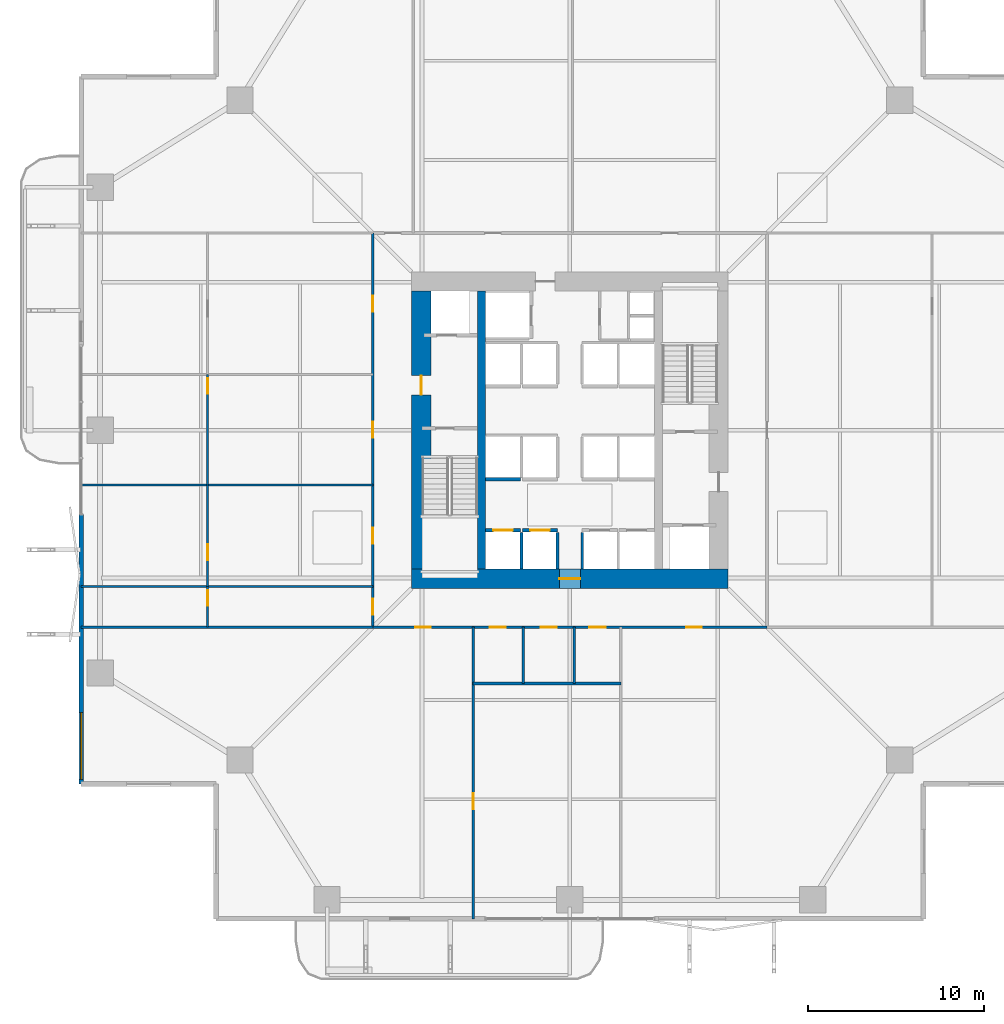
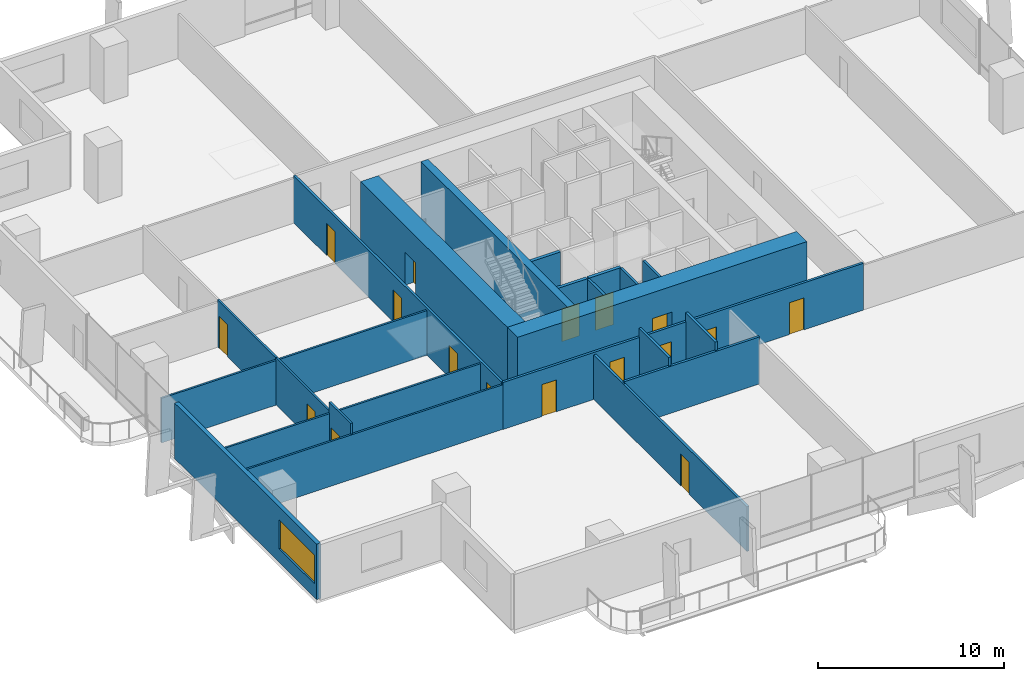
# One storey, part 17 of 23: 22 walls, 17 doors, 1 window, 18 openings.
"""IFC4 building model written with IfcOpenShell, lengths in metres."""

from ifc_helpers import new_model, si_unit, direction, frame, frame_2d, origin, place, context, subcontext, project, spatial, rectangle, extrude, material, layer, layer_set, type_object, element, fill, save


model = new_model("IFC4")

# Units and contexts
model_context = context("Model", 3, precision=1e-05, world=origin(), true_north=direction((0.0, 1.0)))
body_context = subcontext(model_context, "Body", "Model", "MODEL_VIEW")
ifc_project = project(units=[si_unit("LENGTHUNIT", "METRE"), si_unit("AREAUNIT", "SQUARE_METRE"), si_unit("VOLUMEUNIT", "CUBIC_METRE"), si_unit("PLANEANGLEUNIT", "RADIAN"), si_unit("MASSUNIT", "GRAM", prefix="KILO")], contexts=[model_context])

# Site, building, storey
site_placement = place(None, origin())
site = spatial("IfcSite", under=ifc_project, at=site_placement, CompositionType="ELEMENT")
building_placement = place(site_placement, origin())
building = spatial("IfcBuilding", under=site, at=building_placement, Name="Belovzor Exchange Tower", CompositionType="ELEMENT")
storey_placement = place(building_placement, frame((0.0, 0.0, 53.39990234375)))
storey = spatial("IfcBuildingStorey", under=building, at=storey_placement, Name="L12", CompositionType="ELEMENT", Elevation=53.39990234375)

# Wall
ifc_material_1 = material(Name="Acoustic Plasterboard on Galvanised Studs", Category="gypsum")
ifc_layer_1 = layer(ifc_material_1, 0.1201171875)
ifc_layer_set_1 = layer_set([ifc_layer_1], Name="Acoustic Plasterboard on Galvanised Studs")
wall_type_1 = type_object("IfcWallType", Name="Acoustic Double-Stud Partition Wall 120", PredefinedType="PARTITIONING", material=ifc_layer_set_1)
wall_1_placement = place(storey_placement, frame((1.030029296875, 17.60009765625, 0.0), z_axis=(0.0, 0.0, 1.0), x_axis=(1.0, 0.0, 0.0)))
element("IfcWall", 1, at=wall_1_placement, inside=storey, type_object=wall_type_1, Name="W-P120 Partition Wall W-L12-END-SW", PredefinedType="PARTITIONING", context=body_context, shape_type="SweptSolid", body=[
    extrude(rectangle(XDim=16.570068359375, YDim=0.1201171875, at=frame_2d((8.28515625, 0.0))), origin(), (0.0, 0.0, 1.0), 2.93505859375),
])

# Wall, opening, door
wall_2_placement = place(storey_placement, frame((8.2119140625, 17.60009765625, 0.0), z_axis=(0.0, 0.0, 1.0), x_axis=(0.0, 1.0, 0.0)))
wall_2 = element("IfcWall", 2, at=wall_2_placement, inside=storey, type_object=wall_type_1, Name="W-P120 Partition Wall W-L12-WHDIV-0", PredefinedType="PARTITIONING", context=body_context, shape_type="SweptSolid", body=[
    extrude(rectangle(XDim=2.31298828125, YDim=0.1201171875, at=frame_2d((1.156494140625, 0.0))), origin(), (0.0, 0.0, 1.0), 3.650146484375),
])
opening_1_placement = place(wall_2_placement, frame((1.212890625, 0.0, 0.0)))
opening_1 = element("IfcOpeningElement", 3, at=opening_1_placement, cuts=wall_2, Name="Opening D-INT-090", PredefinedType="OPENING", context=body_context, shape_type="SweptSolid", body=[
    extrude(rectangle(XDim=0.89990234375, YDim=2.10009765625, at=frame_2d((0.449951171875, 1.050048828125))), frame((0.0, 0.070068359375, 0.0), z_axis=(0.0, -1.0, 0.0), x_axis=(1.0, 0.0, 0.0)), (0.0, 0.0, 1.0), 0.14013671875),
])
ifc_material_2 = material(Name="Veneered Hardwood Acoustic Leaf", Category="wood")
door_type_1 = type_object("IfcDoorType", Name="Trading Suite Acoustic Single Door 900x2100", OperationType="NOTDEFINED", PredefinedType="DOOR", material=ifc_material_2)
door_1_placement = place(opening_1_placement, origin())
door_1 = element("IfcDoor", 4, at=door_1_placement, inside=storey, type_object=door_type_1, Name="D-INT-090 Trading Suite Acoustic Single Door 900x2100", OperationType="SINGLE_SWING_LEFT", OverallHeight=2.10009765625, OverallWidth=0.89990234375, PredefinedType="DOOR", context=body_context, shape_type="SweptSolid", body=[
    extrude(rectangle(XDim=0.89990234375, YDim=2.10009765625, at=frame_2d((0.449951171875, 1.050048828125))), frame((0.0, 0.02490234375, 0.0), z_axis=(0.0, -1.0, 0.0), x_axis=(1.0, 0.0, 0.0)), (0.0, 0.0, 1.0), 0.050048828125),
])
fill(opening_1, door_1)

# Wall
wall_3_placement = place(storey_placement, frame((1.030029296875, 19.9130859375, 0.0), z_axis=(0.0, 0.0, 1.0), x_axis=(1.0, 0.0, 0.0)))
element("IfcWall", 5, at=wall_3_placement, inside=storey, type_object=wall_type_1, Name="W-P120 Partition Wall W-L12-WDIV-1", PredefinedType="PARTITIONING", context=body_context, shape_type="SweptSolid", body=[
    extrude(rectangle(XDim=16.570068359375, YDim=0.1201171875, at=frame_2d((8.28515625, 0.0))), origin(), (0.0, 0.0, 1.0), 2.93505859375),
])

# Wall, opening, door
wall_4_placement = place(storey_placement, frame((8.2119140625, 19.9130859375, 0.0), z_axis=(0.0, 0.0, 1.0), x_axis=(0.0, 1.0, 0.0)))
wall_4 = element("IfcWall", 6, at=wall_4_placement, inside=storey, type_object=wall_type_1, Name="W-P120 Partition Wall W-L12-WHDIV-1", PredefinedType="PARTITIONING", context=body_context, shape_type="SweptSolid", body=[
    extrude(rectangle(XDim=5.763916015625, YDim=0.1201171875, at=frame_2d((2.8818359375, 0.0))), origin(), (0.0, 0.0, 1.0), 3.085205078125),
])
opening_2_placement = place(wall_4_placement, frame((1.501953125, 0.0, 0.0)))
opening_2 = element("IfcOpeningElement", 7, at=opening_2_placement, cuts=wall_4, Name="Opening D-INT-090", PredefinedType="OPENING", context=body_context, shape_type="SweptSolid", body=[
    extrude(rectangle(XDim=0.89990234375, YDim=2.10009765625, at=frame_2d((0.449951171875, 1.050048828125))), frame((0.0, 0.070068359375, 0.0), z_axis=(0.0, -1.0, 0.0), x_axis=(1.0, 0.0, 0.0)), (0.0, 0.0, 1.0), 0.14013671875),
])
door_2_placement = place(opening_2_placement, origin())
door_2 = element("IfcDoor", 8, at=door_2_placement, inside=storey, type_object=door_type_1, Name="D-INT-090 Trading Suite Acoustic Single Door 900x2100", OperationType="SINGLE_SWING_LEFT", OverallHeight=2.10009765625, OverallWidth=0.89990234375, PredefinedType="DOOR", context=body_context, shape_type="SweptSolid", body=[
    extrude(rectangle(XDim=0.89990234375, YDim=2.10009765625, at=frame_2d((0.449951171875, 1.050048828125))), frame((0.0, 0.02490234375, 0.0), z_axis=(0.0, -1.0, 0.0), x_axis=(1.0, 0.0, 0.0)), (0.0, 0.0, 1.0), 0.050048828125),
])
fill(opening_2, door_2)

# Wall
wall_5_placement = place(storey_placement, frame((1.030029296875, 25.677001953125, 0.0), z_axis=(0.0, 0.0, 1.0), x_axis=(1.0, 0.0, 0.0)))
element("IfcWall", 9, at=wall_5_placement, inside=storey, type_object=wall_type_1, Name="W-P120 Partition Wall W-L12-WDIV-2", PredefinedType="PARTITIONING", context=body_context, shape_type="SweptSolid", body=[
    extrude(rectangle(XDim=16.570068359375, YDim=0.1201171875, at=frame_2d((8.28515625, 0.0))), origin(), (0.0, 0.0, 1.0), 2.93505859375),
])

# Wall, opening, door
wall_6_placement = place(storey_placement, frame((8.2119140625, 25.677001953125, 0.0), z_axis=(0.0, 0.0, 1.0), x_axis=(0.0, 1.0, 0.0)))
wall_6 = element("IfcWall", 10, at=wall_6_placement, inside=storey, type_object=wall_type_1, Name="W-P120 Partition Wall W-L12-WHDIV-2", PredefinedType="PARTITIONING", context=body_context, shape_type="SweptSolid", body=[
    extrude(rectangle(XDim=6.284912109375, YDim=0.1201171875, at=frame_2d((3.142578125, 0.0))), origin(), (0.0, 0.0, 1.0), 3.085205078125),
])
opening_3_placement = place(wall_6_placement, frame((5.18505859375, 0.0, 0.0)))
opening_3 = element("IfcOpeningElement", 11, at=opening_3_placement, cuts=wall_6, Name="Opening D-INT-090", PredefinedType="OPENING", context=body_context, shape_type="SweptSolid", body=[
    extrude(rectangle(XDim=0.89990234375, YDim=2.10009765625, at=frame_2d((0.449951171875, 1.050048828125))), frame((0.0, 0.070068359375, 0.0), z_axis=(0.0, -1.0, 0.0), x_axis=(1.0, 0.0, 0.0)), (0.0, 0.0, 1.0), 0.14013671875),
])
door_3_placement = place(opening_3_placement, origin())
door_3 = element("IfcDoor", 12, at=door_3_placement, inside=storey, type_object=door_type_1, Name="D-INT-090 Trading Suite Acoustic Single Door 900x2100", OperationType="SINGLE_SWING_LEFT", OverallHeight=2.10009765625, OverallWidth=0.89990234375, PredefinedType="DOOR", context=body_context, shape_type="SweptSolid", body=[
    extrude(rectangle(XDim=0.89990234375, YDim=2.10009765625, at=frame_2d((0.449951171875, 1.050048828125))), frame((0.0, 0.02490234375, 0.0), z_axis=(0.0, -1.0, 0.0), x_axis=(1.0, 0.0, 0.0)), (0.0, 0.0, 1.0), 0.050048828125),
])
fill(opening_3, door_3)

# Wall
ifc_material_3 = material(Name="Fire-Rated Gypsum Block and Mineral Wool", Category="gypsum")
ifc_layer_2 = layer(ifc_material_3, 0.14990234375)
ifc_layer_set_2 = layer_set([ifc_layer_2], Name="Fire-Rated Gypsum Block and Mineral Wool")
wall_type_2 = type_object("IfcWallType", Name="Fire-Rated Gypsum Block Corridor Wall 150", PredefinedType="PARTITIONING", material=ifc_layer_set_2)
wall_7_placement = place(storey_placement, frame((23.300048828125, 14.39990234375, 0.0), z_axis=(0.0, 0.0, 1.0), x_axis=(1.0, 0.0, 0.0)))
element("IfcWall", 13, at=wall_7_placement, inside=storey, type_object=wall_type_2, Name="W-P150 Partition Wall W-L12-WCS", PredefinedType="PARTITIONING", context=body_context, shape_type="SweptSolid", body=[
    extrude(rectangle(XDim=8.39990234375, YDim=0.14990234375, at=frame_2d((4.199951171875, 0.0))), origin(), (0.0, 0.0, 1.0), 3.085205078125),
])

# Wall, opening, door
wall_8_placement = place(storey_placement, frame((23.300048828125, 1.030029296875, 0.0), z_axis=(0.0, 0.0, 1.0), x_axis=(0.0, 1.0, 0.0)))
wall_8 = element("IfcWall", 14, at=wall_8_placement, inside=storey, type_object=wall_type_2, Name="W-P150 Partition Wall W-L12-WCW", PredefinedType="PARTITIONING", context=body_context, shape_type="SweptSolid", body=[
    extrude(rectangle(XDim=16.570068359375, YDim=0.14990234375, at=frame_2d((8.28515625, 0.0))), origin(), (0.0, 0.0, 1.0), 2.93505859375),
])
opening_4_placement = place(wall_8_placement, frame((6.235107421875, 0.0, 0.0)))
opening_4 = element("IfcOpeningElement", 15, at=opening_4_placement, cuts=wall_8, Name="Opening D-INT-090", PredefinedType="OPENING", context=body_context, shape_type="SweptSolid", body=[
    extrude(rectangle(XDim=0.89990234375, YDim=2.10009765625, at=frame_2d((0.449951171875, 1.050048828125))), frame((0.0, 0.0849609375, 0.0), z_axis=(0.0, -1.0, 0.0), x_axis=(1.0, 0.0, 0.0)), (0.0, 0.0, 1.0), 0.169921875),
])
door_4_placement = place(opening_4_placement, origin())
door_4 = element("IfcDoor", 16, at=door_4_placement, inside=storey, type_object=door_type_1, Name="D-INT-090 Trading Suite Acoustic Single Door 900x2100", OperationType="SINGLE_SWING_LEFT", OverallHeight=2.10009765625, OverallWidth=0.89990234375, PredefinedType="DOOR", context=body_context, shape_type="SweptSolid", body=[
    extrude(rectangle(XDim=0.89990234375, YDim=2.10009765625, at=frame_2d((0.449951171875, 1.050048828125))), frame((0.0, 0.02490234375, 0.0), z_axis=(0.0, -1.0, 0.0), x_axis=(1.0, 0.0, 0.0)), (0.0, 0.0, 1.0), 0.050048828125),
])
fill(opening_4, door_4)

# Walls
for number, where, z_axis, x_axis, name in (
    (17, (26.14990234375, 14.39990234375, 0.0), (0.0, 0.0, 1.0), (0.0, 1.0, 0.0), "W-P150 Partition Wall W-L12-WCD1"),
    (18, (29.050048828125, 14.39990234375, 0.0), (0.0, 0.0, 1.0), (0.0, 1.0, 0.0), "W-P150 Partition Wall W-L12-WCD2"),
):
    element("IfcWall", number, at=place(storey_placement, frame(where, z_axis=z_axis, x_axis=x_axis)), inside=storey, type_object=wall_type_2, Name=name, PredefinedType="PARTITIONING", context=body_context, shape_type="SweptSolid", body=[
        extrude(rectangle(XDim=3.2001953125, YDim=0.14990234375, at=frame_2d((1.60009765625, 0.0))), origin(), (0.0, 0.0, 1.0), 3.650146484375),
    ])

# Wall, openings, doors
wall_9_placement = place(storey_placement, frame((17.60009765625, 17.60009765625, 0.0), z_axis=(0.0, 0.0, 1.0), x_axis=(1.0, 0.0, 0.0)))
wall_9 = element("IfcWall", 19, at=wall_9_placement, inside=storey, type_object=wall_type_2, Name="W-P150 Partition Wall W-L12-CS", PredefinedType="PARTITIONING", context=body_context, shape_type="SweptSolid", body=[
    extrude(rectangle(XDim=22.39990234375, YDim=0.14990234375, at=frame_2d((11.199951171875, 0.0))), origin(), (0.0, 0.0, 1.0), 3.085205078125),
])
opening_5_placement = place(wall_9_placement, frame((2.39990234375, 0.0, 0.0)))
opening_5 = element("IfcOpeningElement", 20, at=opening_5_placement, cuts=wall_9, Name="Opening D-INT-090", PredefinedType="OPENING", context=body_context, shape_type="SweptSolid", body=[
    extrude(rectangle(XDim=0.89990234375, YDim=2.10009765625, at=frame_2d((0.449951171875, 1.050048828125))), frame((0.0, 0.0849609375, 0.0), z_axis=(0.0, -1.0, 0.0), x_axis=(1.0, 0.0, 0.0)), (0.0, 0.0, 1.0), 0.169921875),
])
opening_6_placement = place(wall_9_placement, frame((6.64990234375, 0.0, 0.0)))
opening_6 = element("IfcOpeningElement", 21, at=opening_6_placement, cuts=wall_9, Name="Opening D-FD60-090", PredefinedType="OPENING", context=body_context, shape_type="SweptSolid", body=[
    extrude(rectangle(XDim=0.89990234375, YDim=2.10009765625, at=frame_2d((0.449951171875, 1.050048828125))), frame((0.0, 0.0849609375, 0.0), z_axis=(0.0, -1.0, 0.0), x_axis=(1.0, 0.0, 0.0)), (0.0, 0.0, 1.0), 0.169921875),
])
opening_7_placement = place(wall_9_placement, frame((9.550048828125, 0.0, 0.0)))
opening_7 = element("IfcOpeningElement", 22, at=opening_7_placement, cuts=wall_9, Name="Opening D-FD60-090", PredefinedType="OPENING", context=body_context, shape_type="SweptSolid", body=[
    extrude(rectangle(XDim=0.89990234375, YDim=2.10009765625, at=frame_2d((0.449951171875, 1.050048828125))), frame((0.0, 0.0849609375, 0.0), z_axis=(0.0, -1.0, 0.0), x_axis=(1.0, 0.0, 0.0)), (0.0, 0.0, 1.0), 0.169921875),
])
opening_8_placement = place(wall_9_placement, frame((12.300048828125, 0.0, 0.0)))
opening_8 = element("IfcOpeningElement", 23, at=opening_8_placement, cuts=wall_9, Name="Opening D-FD60-095", PredefinedType="OPENING", context=body_context, shape_type="SweptSolid", body=[
    extrude(rectangle(XDim=0.949951171875, YDim=2.10009765625, at=frame_2d((0.47509765625, 1.050048828125))), frame((0.0, 0.0849609375, 0.0), z_axis=(0.0, -1.0, 0.0), x_axis=(1.0, 0.0, 0.0)), (0.0, 0.0, 1.0), 0.169921875),
])
opening_9_placement = place(wall_9_placement, frame((17.800048828125, 0.0, 0.0)))
opening_9 = element("IfcOpeningElement", 24, at=opening_9_placement, cuts=wall_9, Name="Opening D-INT-090", PredefinedType="OPENING", context=body_context, shape_type="SweptSolid", body=[
    extrude(rectangle(XDim=0.89990234375, YDim=2.10009765625, at=frame_2d((0.449951171875, 1.050048828125))), frame((0.0, 0.0849609375, 0.0), z_axis=(0.0, -1.0, 0.0), x_axis=(1.0, 0.0, 0.0)), (0.0, 0.0, 1.0), 0.169921875),
])
ifc_material_4 = material(Name="Moisture-Resistant Timber Fire Leaf", Category="wood")
door_type_2 = type_object("IfcDoorType", Name="Accessible Restroom Wide Fire Door 950x2100", OperationType="NOTDEFINED", PredefinedType="DOOR", material=ifc_material_4)
door_5_placement = place(opening_8_placement, origin())
door_5 = element("IfcDoor", 25, at=door_5_placement, inside=storey, type_object=door_type_2, Name="D-FD60-095 Accessible Restroom Wide Fire Door 950x2100", OperationType="SINGLE_SWING_LEFT", OverallHeight=2.10009765625, OverallWidth=0.949951171875, PredefinedType="DOOR", context=body_context, shape_type="SweptSolid", body=[
    extrude(rectangle(XDim=0.949951171875, YDim=2.10009765625, at=frame_2d((0.47509765625, 1.050048828125))), frame((0.0, 0.02490234375, 0.0), z_axis=(0.0, -1.0, 0.0), x_axis=(1.0, 0.0, 0.0)), (0.0, 0.0, 1.0), 0.050048828125),
])
fill(opening_8, door_5)
ifc_material_5 = material(Name="Acoustic Timber Fire Leaf", Category="wood")
door_type_3 = type_object("IfcDoorType", Name="Core Service & Restroom Fire Door 900x2100", OperationType="NOTDEFINED", PredefinedType="DOOR", material=ifc_material_5)
door_6_placement = place(opening_6_placement, origin())
door_6 = element("IfcDoor", 26, at=door_6_placement, inside=storey, type_object=door_type_3, Name="D-FD60-090 Core Service & Restroom Fire Door 900x2100", OperationType="SINGLE_SWING_LEFT", OverallHeight=2.10009765625, OverallWidth=0.89990234375, PredefinedType="DOOR", context=body_context, shape_type="SweptSolid", body=[
    extrude(rectangle(XDim=0.89990234375, YDim=2.10009765625, at=frame_2d((0.449951171875, 1.050048828125))), frame((0.0, 0.02490234375, 0.0), z_axis=(0.0, -1.0, 0.0), x_axis=(1.0, 0.0, 0.0)), (0.0, 0.0, 1.0), 0.050048828125),
])
fill(opening_6, door_6)
door_7_placement = place(opening_7_placement, origin())
door_7 = element("IfcDoor", 27, at=door_7_placement, inside=storey, type_object=door_type_3, Name="D-FD60-090 Core Service & Restroom Fire Door 900x2100", OperationType="SINGLE_SWING_RIGHT", OverallHeight=2.10009765625, OverallWidth=0.89990234375, PredefinedType="DOOR", context=body_context, shape_type="SweptSolid", body=[
    extrude(rectangle(XDim=0.89990234375, YDim=2.10009765625, at=frame_2d((0.449951171875, 1.050048828125))), frame((0.0, 0.02490234375, 0.0), z_axis=(0.0, -1.0, 0.0), x_axis=(1.0, 0.0, 0.0)), (0.0, 0.0, 1.0), 0.050048828125),
])
fill(opening_7, door_7)
door_8_placement = place(opening_5_placement, origin())
door_8 = element("IfcDoor", 28, at=door_8_placement, inside=storey, type_object=door_type_1, Name="D-INT-090 Trading Suite Acoustic Single Door 900x2100", OperationType="SINGLE_SWING_LEFT", OverallHeight=2.10009765625, OverallWidth=0.89990234375, PredefinedType="DOOR", context=body_context, shape_type="SweptSolid", body=[
    extrude(rectangle(XDim=0.89990234375, YDim=2.10009765625, at=frame_2d((0.449951171875, 1.050048828125))), frame((0.0, 0.02490234375, 0.0), z_axis=(0.0, -1.0, 0.0), x_axis=(1.0, 0.0, 0.0)), (0.0, 0.0, 1.0), 0.050048828125),
])
fill(opening_5, door_8)
door_9_placement = place(opening_9_placement, origin())
door_9 = element("IfcDoor", 29, at=door_9_placement, inside=storey, type_object=door_type_1, Name="D-INT-090 Trading Suite Acoustic Single Door 900x2100", OperationType="SINGLE_SWING_RIGHT", OverallHeight=2.10009765625, OverallWidth=0.89990234375, PredefinedType="DOOR", context=body_context, shape_type="SweptSolid", body=[
    extrude(rectangle(XDim=0.89990234375, YDim=2.10009765625, at=frame_2d((0.449951171875, 1.050048828125))), frame((0.0, 0.02490234375, 0.0), z_axis=(0.0, -1.0, 0.0), x_axis=(1.0, 0.0, 0.0)), (0.0, 0.0, 1.0), 0.050048828125),
])
fill(opening_9, door_9)

wall_10_placement = place(storey_placement, frame((17.60009765625, 17.60009765625, 0.0), z_axis=(0.0, 0.0, 1.0), x_axis=(0.0, 1.0, 0.0)))
wall_10 = element("IfcWall", 30, at=wall_10_placement, inside=storey, type_object=wall_type_2, Name="W-P150 Partition Wall W-L12-CW", PredefinedType="PARTITIONING", context=body_context, shape_type="SweptSolid", body=[
    extrude(rectangle(XDim=22.39990234375, YDim=0.14990234375, at=frame_2d((11.199951171875, 0.0))), origin(), (0.0, 0.0, 1.0), 3.085205078125),
])
opening_10_placement = place(wall_10_placement, frame((0.70703125, 0.0, 0.0)))
opening_10 = element("IfcOpeningElement", 31, at=opening_10_placement, cuts=wall_10, Name="Opening D-INT-090", PredefinedType="OPENING", context=body_context, shape_type="SweptSolid", body=[
    extrude(rectangle(XDim=0.89990234375, YDim=2.10009765625, at=frame_2d((0.449951171875, 1.050048828125))), frame((0.0, 0.0849609375, 0.0), z_axis=(0.0, -1.0, 0.0), x_axis=(1.0, 0.0, 0.0)), (0.0, 0.0, 1.0), 0.169921875),
])
opening_11_placement = place(wall_10_placement, frame((4.7451171875, 0.0, 0.0)))
opening_11 = element("IfcOpeningElement", 32, at=opening_11_placement, cuts=wall_10, Name="Opening D-INT-090", PredefinedType="OPENING", context=body_context, shape_type="SweptSolid", body=[
    extrude(rectangle(XDim=0.89990234375, YDim=2.10009765625, at=frame_2d((0.449951171875, 1.050048828125))), frame((0.0, 0.0849609375, 0.0), z_axis=(0.0, -1.0, 0.0), x_axis=(1.0, 0.0, 0.0)), (0.0, 0.0, 1.0), 0.169921875),
])
opening_12_placement = place(wall_10_placement, frame((10.76904296875, 0.0, 0.0)))
opening_12 = element("IfcOpeningElement", 33, at=opening_12_placement, cuts=wall_10, Name="Opening D-INT-090", PredefinedType="OPENING", context=body_context, shape_type="SweptSolid", body=[
    extrude(rectangle(XDim=0.89990234375, YDim=2.10009765625, at=frame_2d((0.449951171875, 1.050048828125))), frame((0.0, 0.0849609375, 0.0), z_axis=(0.0, -1.0, 0.0), x_axis=(1.0, 0.0, 0.0)), (0.0, 0.0, 1.0), 0.169921875),
])
opening_13_placement = place(wall_10_placement, frame((17.930908203125, 0.0, 0.0)))
opening_13 = element("IfcOpeningElement", 34, at=opening_13_placement, cuts=wall_10, Name="Opening D-INT-090", PredefinedType="OPENING", context=body_context, shape_type="SweptSolid", body=[
    extrude(rectangle(XDim=0.89990234375, YDim=2.10009765625, at=frame_2d((0.449951171875, 1.050048828125))), frame((0.0, 0.0849609375, 0.0), z_axis=(0.0, -1.0, 0.0), x_axis=(1.0, 0.0, 0.0)), (0.0, 0.0, 1.0), 0.169921875),
])
door_10_placement = place(opening_10_placement, origin())
door_10 = element("IfcDoor", 35, at=door_10_placement, inside=storey, type_object=door_type_1, Name="D-INT-090 Trading Suite Acoustic Single Door 900x2100", OperationType="SINGLE_SWING_LEFT", OverallHeight=2.10009765625, OverallWidth=0.89990234375, PredefinedType="DOOR", context=body_context, shape_type="SweptSolid", body=[
    extrude(rectangle(XDim=0.89990234375, YDim=2.10009765625, at=frame_2d((0.449951171875, 1.050048828125))), frame((0.0, 0.02490234375, 0.0), z_axis=(0.0, -1.0, 0.0), x_axis=(1.0, 0.0, 0.0)), (0.0, 0.0, 1.0), 0.050048828125),
])
fill(opening_10, door_10)
door_11_placement = place(opening_11_placement, origin())
door_11 = element("IfcDoor", 36, at=door_11_placement, inside=storey, type_object=door_type_1, Name="D-INT-090 Trading Suite Acoustic Single Door 900x2100", OperationType="SINGLE_SWING_RIGHT", OverallHeight=2.10009765625, OverallWidth=0.89990234375, PredefinedType="DOOR", context=body_context, shape_type="SweptSolid", body=[
    extrude(rectangle(XDim=0.89990234375, YDim=2.10009765625, at=frame_2d((0.449951171875, 1.050048828125))), frame((0.0, 0.02490234375, 0.0), z_axis=(0.0, -1.0, 0.0), x_axis=(1.0, 0.0, 0.0)), (0.0, 0.0, 1.0), 0.050048828125),
])
fill(opening_11, door_11)
door_12_placement = place(opening_12_placement, origin())
door_12 = element("IfcDoor", 37, at=door_12_placement, inside=storey, type_object=door_type_1, Name="D-INT-090 Trading Suite Acoustic Single Door 900x2100", OperationType="SINGLE_SWING_LEFT", OverallHeight=2.10009765625, OverallWidth=0.89990234375, PredefinedType="DOOR", context=body_context, shape_type="SweptSolid", body=[
    extrude(rectangle(XDim=0.89990234375, YDim=2.10009765625, at=frame_2d((0.449951171875, 1.050048828125))), frame((0.0, 0.02490234375, 0.0), z_axis=(0.0, -1.0, 0.0), x_axis=(1.0, 0.0, 0.0)), (0.0, 0.0, 1.0), 0.050048828125),
])
fill(opening_12, door_12)
door_13_placement = place(opening_13_placement, origin())
door_13 = element("IfcDoor", 38, at=door_13_placement, inside=storey, type_object=door_type_1, Name="D-INT-090 Trading Suite Acoustic Single Door 900x2100", OperationType="SINGLE_SWING_RIGHT", OverallHeight=2.10009765625, OverallWidth=0.89990234375, PredefinedType="DOOR", context=body_context, shape_type="SweptSolid", body=[
    extrude(rectangle(XDim=0.89990234375, YDim=2.10009765625, at=frame_2d((0.449951171875, 1.050048828125))), frame((0.0, 0.02490234375, 0.0), z_axis=(0.0, -1.0, 0.0), x_axis=(1.0, 0.0, 0.0)), (0.0, 0.0, 1.0), 0.050048828125),
])
fill(opening_13, door_13)

# Wall, opening, window
ifc_material_6 = material(Name="Precast concrete C40/50", Category="concrete")
ifc_layer_3 = layer(ifc_material_6, 0.260009765625)
ifc_layer_set_3 = layer_set([ifc_layer_3], Name="Precast concrete C40/50")
wall_type_3 = type_object("IfcWallType", Name="Precast Concrete Perimeter Loggia Frame Wall 260", PredefinedType="SOLIDWALL", material=ifc_layer_set_3)
wall_11_placement = place(storey_placement, frame((1.030029296875, 8.699951171875, 0.0), z_axis=(0.0, 0.0, 1.0), x_axis=(0.0, 1.0, 0.0)))
wall_11 = element("IfcWall", 39, at=wall_11_placement, inside=storey, type_object=wall_type_3, Name="W-EXT260 Precast Concrete Perimeter Loggia Frame Wall 260 L12", PredefinedType="SOLIDWALL", context=body_context, shape_type="SweptSolid", body=[
    extrude(rectangle(XDim=15.300048828125, YDim=0.260009765625, at=frame_2d((7.64990234375, 0.0))), origin(), (0.0, 0.0, 1.0), 3.650146484375),
])
opening_14_placement = place(wall_11_placement, frame((0.25, 0.0, 0.89990234375)))
opening_14 = element("IfcOpeningElement", 40, at=opening_14_placement, cuts=wall_11, Name="Opening WN-RIB380", PredefinedType="OPENING", context=body_context, shape_type="SweptSolid", body=[
    extrude(rectangle(XDim=3.800048828125, YDim=1.89990234375, at=frame_2d((1.89990234375, 0.949951171875))), frame((0.0, 0.139892578125, 0.0), z_axis=(0.0, -1.0, 0.0), x_axis=(1.0, 0.0, 0.0)), (0.0, 0.0, 1.0), 0.280029296875),
])
ifc_material_7 = material(Name="Thermally Broken Aluminium and Triple Glazing", Category="aluminium")
window_type = type_object("IfcWindowType", Name="Streamline Moderne Horizontal Ribbon Window 3800x1900", PartitioningType="SINGLE_PANEL", PredefinedType="WINDOW", material=ifc_material_7)
window_placement = place(opening_14_placement, origin())
window = element("IfcWindow", 41, at=window_placement, inside=storey, type_object=window_type, Name="WN-RIB380 Streamline Moderne Horizontal Ribbon Window 3800x1900", OverallHeight=1.89990234375, OverallWidth=3.800048828125, PartitioningType="SINGLE_PANEL", PredefinedType="WINDOW", context=body_context, shape_type="SweptSolid", body=[
    extrude(rectangle(XDim=3.800048828125, YDim=1.89990234375, at=frame_2d((1.89990234375, 0.949951171875))), frame((0.0, 0.030029296875, 0.0), z_axis=(0.0, -1.0, 0.0), x_axis=(1.0, 0.0, 0.0)), (0.0, 0.0, 1.0), 0.06005859375),
])
fill(opening_14, window)

# Walls
ifc_material_8 = material(Name="Concrete C50/60", Category="concrete")
ifc_layer_4 = layer(ifc_material_8, 0.449951171875)
ifc_layer_set_4 = layer_set([ifc_layer_4], Name="Concrete C50/60")
wall_type_4 = type_object("IfcWallType", Name="Reinforced Concrete Core Internal Web Wall 450", PredefinedType="SHEAR", material=ifc_layer_set_4)
wall_12_placement = place(storey_placement, frame((23.77490234375, 20.89990234375, 0.0), z_axis=(0.0, 0.0, 1.0), x_axis=(0.0, 1.0, 0.0)))
element("IfcWall", 42, at=wall_12_placement, inside=storey, type_object=wall_type_4, Name="CW-W045 Core Internal Web Wall L12 WL", PredefinedType="SHEAR", context=body_context, shape_type="SweptSolid", body=[
    extrude(rectangle(XDim=15.800048828125, YDim=0.449951171875, at=frame_2d((7.89990234375, 0.0))), origin(), (0.0, 0.0, 1.0), 3.900146484375),
])
ifc_material_9 = material(Name="Concrete C50/60", Category="concrete")
ifc_layer_5 = layer(ifc_material_9, 0.14990234375)
ifc_layer_set_5 = layer_set([ifc_layer_5], Name="Concrete C50/60")
wall_type_5 = type_object("IfcWallType", Name="Reinforced Concrete Core Riser Shear Wall 150", PredefinedType="SHEAR", material=ifc_layer_set_5)
for number, where, z_axis, x_axis, name in (
    (43, (26.050048828125, 20.919921875, 0.0), (0.0, 0.0, 1.0), (0.0, 1.0, 0.0), "W-C150S Core Shaft Wall W-SHD-L12-PLL-1"),
    (44, (28.10009765625, 20.919921875, 0.0), (0.0, 0.0, 1.0), (0.0, 1.0, 0.0), "W-C150S Core Shaft Wall W-SHD-L12-PLL-2"),
    (45, (29.5, 20.919921875, 0.0), (0.0, 0.0, 1.0), (0.0, 1.0, 0.0), "W-C150S Core Shaft Wall W-SHD-L12-PLL-3"),
):
    element("IfcWall", number, at=place(storey_placement, frame(where, z_axis=z_axis, x_axis=x_axis)), inside=storey, type_object=wall_type_5, Name=name, PredefinedType="SHEAR", context=body_context, shape_type="SweptSolid", body=[
        extrude(rectangle(XDim=2.06005859375, YDim=0.14990234375, at=frame_2d((1.030029296875, 0.0))), origin(), (0.0, 0.0, 1.0), 3.650146484375),
    ])

# Wall, opening, door
ifc_material_10 = material(Name="Concrete C50/60", Category="concrete")
ifc_layer_6 = layer(ifc_material_10, 0.199951171875)
ifc_layer_set_6 = layer_set([ifc_layer_6], Name="Concrete C50/60")
wall_type_6 = type_object("IfcWallType", Name="Reinforced Concrete Core Shaft Shear Wall 200", PredefinedType="SHEAR", material=ifc_layer_set_6)
wall_13_placement = place(storey_placement, frame((24.0, 23.10009765625, 0.0), z_axis=(0.0, 0.0, 1.0), x_axis=(1.0, 0.0, 0.0)))
wall_13 = element("IfcWall", 46, at=wall_13_placement, inside=storey, type_object=wall_type_6, Name="W-C200S Core Shaft Wall W-SH-L12-PL-L1", PredefinedType="SHEAR", context=body_context, shape_type="SweptSolid", body=[
    extrude(rectangle(XDim=2.0, YDim=0.199951171875, at=frame_2d((1.0, 0.0))), origin(), (0.0, 0.0, 1.0), 3.650146484375),
])
opening_15_placement = place(wall_13_placement, frame((0.449951171875, 0.0, 0.0)))
opening_15 = element("IfcOpeningElement", 47, at=opening_15_placement, cuts=wall_13, Name="Opening LD-110", PredefinedType="OPENING", context=body_context, shape_type="SweptSolid", body=[
    extrude(rectangle(XDim=1.10009765625, YDim=2.14990234375, at=frame_2d((0.550048828125, 1.074951171875))), frame((0.0, 0.10986328125, 0.0), z_axis=(0.0, -1.0, 0.0), x_axis=(1.0, 0.0, 0.0)), (0.0, 0.0, 1.0), 0.219970703125),
])
ifc_material_11 = material(Name="Stainless Steel Grade 304", Category="steel")
door_type_4 = type_object("IfcDoorType", Name="Automated Stainless Steel Lift Landing Door 1100x2150", OperationType="SLIDING_TO_RIGHT", PredefinedType="DOOR", material=ifc_material_11)
door_14_placement = place(opening_15_placement, origin())
door_14 = element("IfcDoor", 48, at=door_14_placement, inside=storey, type_object=door_type_4, Name="LD-110 Automated Stainless Steel Lift Landing Door 1100x2150", OperationType="SLIDING_TO_RIGHT", OverallHeight=2.14990234375, OverallWidth=1.10009765625, PredefinedType="DOOR", context=body_context, shape_type="SweptSolid", body=[
    extrude(rectangle(XDim=1.10009765625, YDim=2.14990234375, at=frame_2d((0.550048828125, 1.074951171875))), frame((0.0, 0.02490234375, 0.0), z_axis=(0.0, -1.0, 0.0), x_axis=(1.0, 0.0, 0.0)), (0.0, 0.0, 1.0), 0.050048828125),
])
fill(opening_15, door_14)

wall_14_placement = place(storey_placement, frame((26.10009765625, 23.10009765625, 0.0), z_axis=(0.0, 0.0, 1.0), x_axis=(1.0, 0.0, 0.0)))
wall_14 = element("IfcWall", 49, at=wall_14_placement, inside=storey, type_object=wall_type_6, Name="W-C200S Core Shaft Wall W-SH-L12-PL-L2", PredefinedType="SHEAR", context=body_context, shape_type="SweptSolid", body=[
    extrude(rectangle(XDim=2.0, YDim=0.199951171875, at=frame_2d((1.0, 0.0))), origin(), (0.0, 0.0, 1.0), 3.650146484375),
])
opening_16_placement = place(wall_14_placement, frame((0.449951171875, 0.0, 0.0)))
opening_16 = element("IfcOpeningElement", 50, at=opening_16_placement, cuts=wall_14, Name="Opening LD-110", PredefinedType="OPENING", context=body_context, shape_type="SweptSolid", body=[
    extrude(rectangle(XDim=1.10009765625, YDim=2.14990234375, at=frame_2d((0.550048828125, 1.074951171875))), frame((0.0, 0.10986328125, 0.0), z_axis=(0.0, -1.0, 0.0), x_axis=(1.0, 0.0, 0.0)), (0.0, 0.0, 1.0), 0.219970703125),
])
door_15_placement = place(opening_16_placement, origin())
door_15 = element("IfcDoor", 51, at=door_15_placement, inside=storey, type_object=door_type_4, Name="LD-110 Automated Stainless Steel Lift Landing Door 1100x2150", OperationType="SLIDING_TO_RIGHT", OverallHeight=2.14990234375, OverallWidth=1.10009765625, PredefinedType="DOOR", context=body_context, shape_type="SweptSolid", body=[
    extrude(rectangle(XDim=1.10009765625, YDim=2.14990234375, at=frame_2d((0.550048828125, 1.074951171875))), frame((0.0, 0.02490234375, 0.0), z_axis=(0.0, -1.0, 0.0), x_axis=(1.0, 0.0, 0.0)), (0.0, 0.0, 1.0), 0.050048828125),
])
fill(opening_16, door_15)

# Wall
wall_15_placement = place(storey_placement, frame((24.0, 26.0, 0.0), z_axis=(0.0, 0.0, 1.0), x_axis=(1.0, 0.0, 0.0)))
element("IfcWall", 52, at=wall_15_placement, inside=storey, type_object=wall_type_6, Name="W-C200S Core Shaft Wall W-SH-L12-PL-M1", PredefinedType="SHEAR", context=body_context, shape_type="SweptSolid", body=[
    extrude(rectangle(XDim=2.0, YDim=0.199951171875, at=frame_2d((1.0, 0.0))), origin(), (0.0, 0.0, 1.0), 3.650146484375),
])

# Wall, opening, door
ifc_material_12 = material(Name="Concrete C60/75", Category="concrete")
ifc_layer_7 = layer(ifc_material_12, 1.10009765625)
ifc_layer_set_7 = layer_set([ifc_layer_7], Name="Concrete C60/75")
wall_type_7 = type_object("IfcWallType", Name="Reinforced Concrete Core Shear Wall 1100", PredefinedType="SHEAR", material=ifc_layer_set_7)
wall_16_placement = place(storey_placement, frame((19.800048828125, 20.35009765625, 0.0), z_axis=(0.0, 0.0, 1.0), x_axis=(1.0, 0.0, 0.0)))
wall_16 = element("IfcWall", 53, at=wall_16_placement, inside=storey, type_object=wall_type_7, Name="CW-S110 Core Shear Wall L12 S", PredefinedType="SHEAR", context=body_context, shape_type="SweptSolid", body=[
    extrude(rectangle(XDim=18.0, YDim=1.10009765625, at=frame_2d((9.0, 0.0))), origin(), (0.0, 0.0, 1.0), 3.900146484375),
])
opening_17_placement = place(wall_16_placement, frame((8.39990234375, 0.0, 0.0)))
opening_17 = element("IfcOpeningElement", 54, at=opening_17_placement, cuts=wall_16, Name="Opening D-FD90-120", PredefinedType="OPENING", context=body_context, shape_type="SweptSolid", body=[
    extrude(rectangle(XDim=1.199951171875, YDim=2.199951171875, at=frame_2d((0.60009765625, 1.10009765625))), frame((0.0, 0.56005859375, 0.0), z_axis=(0.0, -1.0, 0.0), x_axis=(1.0, 0.0, 0.0)), (0.0, 0.0, 1.0), 1.1201171875),
])
ifc_material_13 = material(Name="Fire-Rated Galvanised Steel Leaf", Category="steel")
door_type_5 = type_object("IfcDoorType", Name="Heavy Plant & Foyer Fire Door 1200x2200", OperationType="NOTDEFINED", PredefinedType="DOOR", material=ifc_material_13)
door_16_placement = place(opening_17_placement, origin())
door_16 = element("IfcDoor", 55, at=door_16_placement, inside=storey, type_object=door_type_5, Name="D-FD90-120 Heavy Plant & Foyer Fire Door 1200x2200", OperationType="SINGLE_SWING_LEFT", OverallHeight=2.199951171875, OverallWidth=1.199951171875, PredefinedType="DOOR", context=body_context, shape_type="SweptSolid", body=[
    extrude(rectangle(XDim=1.199951171875, YDim=2.199951171875, at=frame_2d((0.60009765625, 1.10009765625))), frame((0.0, 0.02490234375, 0.0), z_axis=(0.0, -1.0, 0.0), x_axis=(1.0, 0.0, 0.0)), (0.0, 0.0, 1.0), 0.050048828125),
])
fill(opening_17, door_16)

wall_17_placement = place(storey_placement, frame((20.35009765625, 20.89990234375, 0.0), z_axis=(0.0, 0.0, 1.0), x_axis=(0.0, 1.0, 0.0)))
wall_17 = element("IfcWall", 56, at=wall_17_placement, inside=storey, type_object=wall_type_7, Name="CW-S110 Core Shear Wall L12 W", PredefinedType="SHEAR", context=body_context, shape_type="SweptSolid", body=[
    extrude(rectangle(XDim=15.800048828125, YDim=1.10009765625, at=frame_2d((7.89990234375, 0.0))), origin(), (0.0, 0.0, 1.0), 3.900146484375),
])
opening_18_placement = place(wall_17_placement, frame((9.89990234375, 0.0, 0.0)))
opening_18 = element("IfcOpeningElement", 57, at=opening_18_placement, cuts=wall_17, Name="Opening D-FD90-110", PredefinedType="OPENING", context=body_context, shape_type="SweptSolid", body=[
    extrude(rectangle(XDim=1.10009765625, YDim=2.14990234375, at=frame_2d((0.550048828125, 1.074951171875))), frame((0.0, 0.56005859375, 0.0), z_axis=(0.0, -1.0, 0.0), x_axis=(1.0, 0.0, 0.0)), (0.0, 0.0, 1.0), 1.1201171875),
])
ifc_material_14 = material(Name="Fire-Rated Galvanised Steel Leaf", Category="steel")
door_type_6 = type_object("IfcDoorType", Name="Protected Escape Vestibule Fire Door 1100x2150", OperationType="NOTDEFINED", PredefinedType="DOOR", material=ifc_material_14)
door_17_placement = place(opening_18_placement, origin())
door_17 = element("IfcDoor", 58, at=door_17_placement, inside=storey, type_object=door_type_6, Name="D-FD90-110 Protected Escape Vestibule Fire Door 1100x2150", OperationType="SINGLE_SWING_LEFT", OverallHeight=2.14990234375, OverallWidth=1.10009765625, PredefinedType="DOOR", context=body_context, shape_type="SweptSolid", body=[
    extrude(rectangle(XDim=1.10009765625, YDim=2.14990234375, at=frame_2d((0.550048828125, 1.074951171875))), frame((0.0, 0.02490234375, 0.0), z_axis=(0.0, -1.0, 0.0), x_axis=(1.0, 0.0, 0.0)), (0.0, 0.0, 1.0), 0.050048828125),
])
fill(opening_18, door_17)

save(model, "model.ifc")
